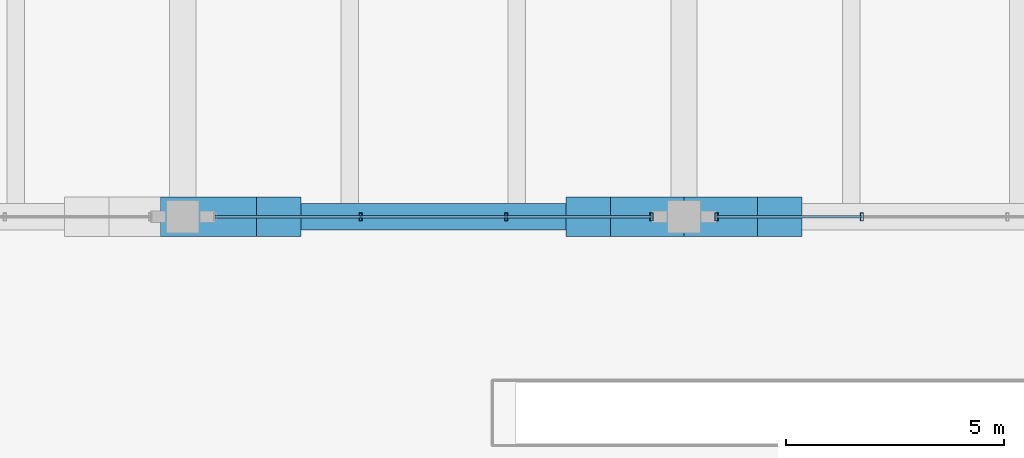
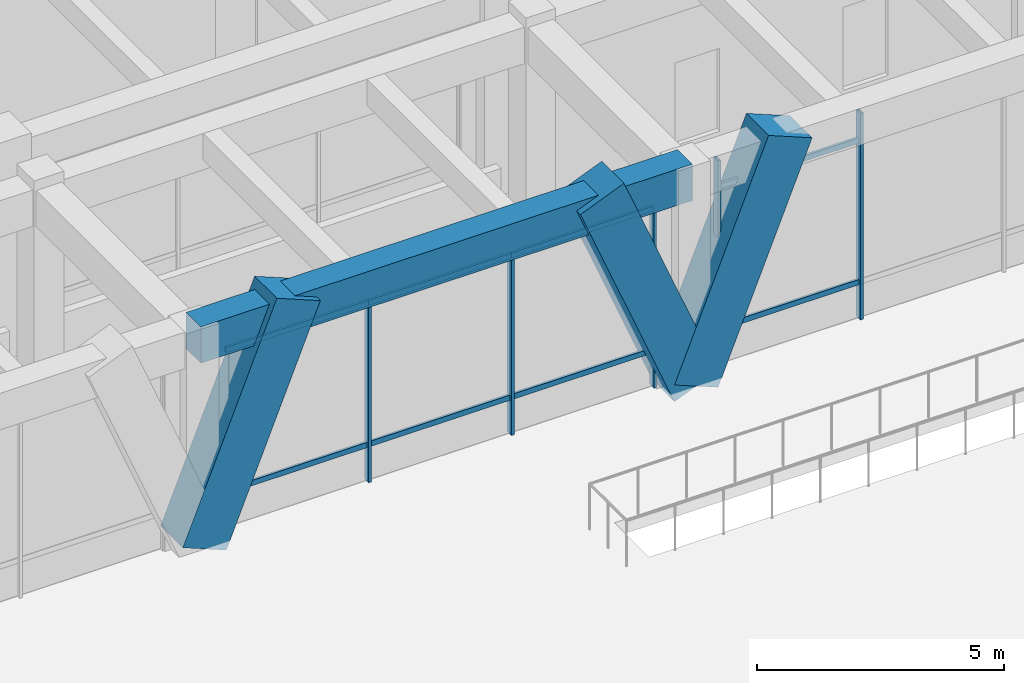
# One storey, part 99 of 148: 16 members, 1 beam, 2 elements without a shape of their own.
"""IFC4 building model written with IfcOpenShell, lengths in metres."""

from ifc_helpers import new_model, si_unit, direction, frame, origin, origin_2d, place, context, subcontext, project, spatial, rectangle, hollow_rectangle, extrude, material, material_profile, profile_set, type_object, element, aggregate, save


model = new_model("IFC4")

# Units and contexts
model_context = context("Model", 3, precision=1e-05, world=origin(), true_north=direction((0.0, 1.0)))
body_context = subcontext(model_context, "Body", "Model", "MODEL_VIEW")
ifc_project = project(units=[si_unit("LENGTHUNIT", "METRE"), si_unit("AREAUNIT", "SQUARE_METRE"), si_unit("VOLUMEUNIT", "CUBIC_METRE"), si_unit("PLANEANGLEUNIT", "RADIAN"), si_unit("MASSUNIT", "GRAM", prefix="KILO")], contexts=[model_context])

# Site, building, storey
site_placement = place(None, origin())
site = spatial("IfcSite", under=ifc_project, at=site_placement, CompositionType="ELEMENT")
building_placement = place(site_placement, origin())
building = spatial("IfcBuilding", under=site, at=building_placement, Name="Ologun Quay Terminus", CompositionType="ELEMENT")
storey_placement = place(building_placement, frame((0.0, 0.0, 8.39990234375)))
storey = spatial("IfcBuildingStorey", under=building, at=storey_placement, Name="L02", CompositionType="ELEMENT", Elevation=8.39990234375)

# Curtain wall, members
ifc_material_1 = material(Name="Aluminium 6063-T6", Category="aluminium")
curtain_wall_type = type_object("IfcCurtainWallType", Name="Train Shed North Clerestory Curtain Wall 10700x4850", PredefinedType="USERDEFINED", material=ifc_material_1)
curtain_wall_1_placement = place(storey_placement, origin())
curtain_wall_1 = element("IfcCurtainWall", 1, at=curtain_wall_1_placement, inside=storey, type_object=curtain_wall_type, Name="CW-09 Curtain Wall CW-L02-067", ObjectType="UNITISED CURTAIN WALL", PredefinedType="USERDEFINED")
ifc_material_2 = material(Name="Aluminium 6063-T6", Category="aluminium")
ifc_material_profile_1 = material_profile(ifc_material_2, hollow_rectangle(XDim=0.070068359375, YDim=0.179931640625, WallThickness=0.0048828125, at=origin_2d()), Name="ALU 180x70x5")
ifc_profile_set_1 = profile_set([ifc_material_profile_1], Name="Aluminium 6063-T6")
member_type_1 = type_object("IfcMemberType", Name="Concourse Clerestory Mullion 180x70", PredefinedType="MULLION", material=ifc_profile_set_1)
member_1_placement = place(storey_placement, frame((130.581787109375, 78.0, 0.0), z_axis=(0.0, 0.0, 1.0), x_axis=(1.0, 0.0, 0.0)))
member_1 = element("IfcMember", 2, at=member_1_placement, type_object=member_type_1, Name="CW-L02-067 Mullion 2", PredefinedType="MULLION", context=body_context, shape_type="SweptSolid", body=[
    extrude(hollow_rectangle(XDim=0.070068359375, YDim=0.179931640625, WallThickness=0.0048828125, at=origin_2d()), origin(), (0.0, 0.0, 1.0), 5.10009765625),
])
member_2_placement = place(storey_placement, frame((133.918212890625, 78.0, 0.0), z_axis=(0.0, 0.0, 1.0), x_axis=(1.0, 0.0, 0.0)))
member_2 = element("IfcMember", 3, at=member_2_placement, type_object=member_type_1, Name="CW-L02-067 Mullion 3", PredefinedType="MULLION", context=body_context, shape_type="SweptSolid", body=[
    extrude(hollow_rectangle(XDim=0.070068359375, YDim=0.179931640625, WallThickness=0.0048828125, at=origin_2d()), origin(), (0.0, 0.0, 1.0), 5.10009765625),
])
member_3_placement = place(storey_placement, frame((137.2548828125, 78.0, 0.0), z_axis=(0.0, 0.0, 1.0), x_axis=(1.0, 0.0, 0.0)))
member_3 = element("IfcMember", 4, at=member_3_placement, type_object=member_type_1, Name="CW-L02-067 Mullion 4", PredefinedType="MULLION", context=body_context, shape_type="SweptSolid", body=[
    extrude(hollow_rectangle(XDim=0.070068359375, YDim=0.179931640625, WallThickness=0.0048828125, at=origin_2d()), origin(), (0.0, 0.0, 1.0), 5.10009765625),
])

curtain_wall_2_placement = place(storey_placement, origin())
curtain_wall_2 = element("IfcCurtainWall", 5, at=curtain_wall_2_placement, inside=storey, type_object=curtain_wall_type, Name="CW-09 Curtain Wall CW-L02-069", ObjectType="UNITISED CURTAIN WALL", PredefinedType="USERDEFINED")
member_4_placement = place(storey_placement, frame((138.7451171875, 78.0, 0.0), z_axis=(0.0, 0.0, 1.0), x_axis=(1.0, 0.0, 0.0)))
member_4 = element("IfcMember", 6, at=member_4_placement, type_object=member_type_1, Name="CW-L02-069 Mullion 1", PredefinedType="MULLION", context=body_context, shape_type="SweptSolid", body=[
    extrude(hollow_rectangle(XDim=0.070068359375, YDim=0.179931640625, WallThickness=0.0048828125, at=origin_2d()), origin(), (0.0, 0.0, 1.0), 5.10009765625),
])
member_5_placement = place(storey_placement, frame((142.081787109375, 78.0, 0.0), z_axis=(0.0, 0.0, 1.0), x_axis=(1.0, 0.0, 0.0)))
member_5 = element("IfcMember", 7, at=member_5_placement, type_object=member_type_1, Name="CW-L02-069 Mullion 2", PredefinedType="MULLION", context=body_context, shape_type="SweptSolid", body=[
    extrude(hollow_rectangle(XDim=0.070068359375, YDim=0.179931640625, WallThickness=0.0048828125, at=origin_2d()), origin(), (0.0, 0.0, 1.0), 5.10009765625),
])

# Member
ifc_material_3 = material(Name="Aluminium 6063-T6", Category="aluminium")
ifc_material_profile_2 = material_profile(ifc_material_3, hollow_rectangle(XDim=0.06005859375, YDim=0.1298828125, WallThickness=0.00390625, at=origin_2d()), Name="ALU 130x60x4")
ifc_profile_set_2 = profile_set([ifc_material_profile_2], Name="Aluminium 6063-T6")
member_type_2 = type_object("IfcMemberType", Name="Concourse Clerestory Transom 130x60", PredefinedType="USERDEFINED", material=ifc_profile_set_2)
member_6_placement = place(storey_placement, frame((127.2451171875, 78.0, 0.900146484375), z_axis=(1.0, 0.0, 0.0), x_axis=(0.0, 1.0, 0.0)))
member_6 = element("IfcMember", 8, at=member_6_placement, type_object=member_type_2, Name="CW-L02-067 Transom B1-1", ObjectType="TRANSOM", PredefinedType="USERDEFINED", context=body_context, shape_type="SweptSolid", body=[
    extrude(hollow_rectangle(XDim=0.06005859375, YDim=0.1298828125, WallThickness=0.00390625, at=origin_2d()), origin(), (0.0, 0.0, 1.0), 3.336669921875),
])

member_7_placement = place(storey_placement, frame((127.2451171875, 78.0, 4.400146484375), z_axis=(1.0, 0.0, 0.0), x_axis=(0.0, 1.0, 0.0)))
member_7 = element("IfcMember", 9, at=member_7_placement, type_object=member_type_2, Name="CW-L02-067 Transom B1-2", ObjectType="TRANSOM", PredefinedType="USERDEFINED", context=body_context, shape_type="SweptSolid", body=[
    extrude(hollow_rectangle(XDim=0.06005859375, YDim=0.1298828125, WallThickness=0.00390625, at=origin_2d()), origin(), (0.0, 0.0, 1.0), 3.336669921875),
])

member_8_placement = place(storey_placement, frame((130.581787109375, 78.0, 0.900146484375), z_axis=(1.0, 0.0, 0.0), x_axis=(0.0, 1.0, 0.0)))
member_8 = element("IfcMember", 10, at=member_8_placement, type_object=member_type_2, Name="CW-L02-067 Transom B2-1", ObjectType="TRANSOM", PredefinedType="USERDEFINED", context=body_context, shape_type="SweptSolid", body=[
    extrude(hollow_rectangle(XDim=0.06005859375, YDim=0.1298828125, WallThickness=0.00390625, at=origin_2d()), origin(), (0.0, 0.0, 1.0), 3.33642578125),
])

member_9_placement = place(storey_placement, frame((130.581787109375, 78.0, 4.400146484375), z_axis=(1.0, 0.0, 0.0), x_axis=(0.0, 1.0, 0.0)))
member_9 = element("IfcMember", 11, at=member_9_placement, type_object=member_type_2, Name="CW-L02-067 Transom B2-2", ObjectType="TRANSOM", PredefinedType="USERDEFINED", context=body_context, shape_type="SweptSolid", body=[
    extrude(hollow_rectangle(XDim=0.06005859375, YDim=0.1298828125, WallThickness=0.00390625, at=origin_2d()), origin(), (0.0, 0.0, 1.0), 3.33642578125),
])

member_10_placement = place(storey_placement, frame((133.918212890625, 78.0, 0.900146484375), z_axis=(1.0, 0.0, 0.0), x_axis=(0.0, 1.0, 0.0)))
member_10 = element("IfcMember", 12, at=member_10_placement, type_object=member_type_2, Name="CW-L02-067 Transom B3-1", ObjectType="TRANSOM", PredefinedType="USERDEFINED", context=body_context, shape_type="SweptSolid", body=[
    extrude(hollow_rectangle(XDim=0.06005859375, YDim=0.1298828125, WallThickness=0.00390625, at=origin_2d()), origin(), (0.0, 0.0, 1.0), 3.336669921875),
])

member_11_placement = place(storey_placement, frame((133.918212890625, 78.0, 4.400146484375), z_axis=(1.0, 0.0, 0.0), x_axis=(0.0, 1.0, 0.0)))
member_11 = element("IfcMember", 13, at=member_11_placement, type_object=member_type_2, Name="CW-L02-067 Transom B3-2", ObjectType="TRANSOM", PredefinedType="USERDEFINED", context=body_context, shape_type="SweptSolid", body=[
    extrude(hollow_rectangle(XDim=0.06005859375, YDim=0.1298828125, WallThickness=0.00390625, at=origin_2d()), origin(), (0.0, 0.0, 1.0), 3.336669921875),
])

aggregate(curtain_wall_1, [member_1, member_2, member_3, member_6, member_7, member_8, member_9, member_10, member_11])

member_12_placement = place(storey_placement, frame((138.7451171875, 78.0, 0.900146484375), z_axis=(1.0, 0.0, 0.0), x_axis=(0.0, 1.0, 0.0)))
member_12 = element("IfcMember", 14, at=member_12_placement, type_object=member_type_2, Name="CW-L02-069 Transom B1-1", ObjectType="TRANSOM", PredefinedType="USERDEFINED", context=body_context, shape_type="SweptSolid", body=[
    extrude(hollow_rectangle(XDim=0.06005859375, YDim=0.1298828125, WallThickness=0.00390625, at=origin_2d()), origin(), (0.0, 0.0, 1.0), 3.336669921875),
])

member_13_placement = place(storey_placement, frame((138.7451171875, 78.0, 4.400146484375), z_axis=(1.0, 0.0, 0.0), x_axis=(0.0, 1.0, 0.0)))
member_13 = element("IfcMember", 15, at=member_13_placement, type_object=member_type_2, Name="CW-L02-069 Transom B1-2", ObjectType="TRANSOM", PredefinedType="USERDEFINED", context=body_context, shape_type="SweptSolid", body=[
    extrude(hollow_rectangle(XDim=0.06005859375, YDim=0.1298828125, WallThickness=0.00390625, at=origin_2d()), origin(), (0.0, 0.0, 1.0), 3.336669921875),
])

aggregate(curtain_wall_2, [member_4, member_5, member_12, member_13])

# Members
ifc_material_4 = material(Name="Concrete C45/55", Category="concrete")
ifc_material_profile_3 = material_profile(ifc_material_4, rectangle(XDim=0.89990234375, YDim=1.10009765625, at=origin_2d()), Name="RC 900x1100")
ifc_profile_set_3 = profile_set([ifc_material_profile_3], Name="Concrete C45/55")
member_type_3 = type_object("IfcMemberType", Name="Sculpted Concrete Arch V-Buttress Strut 900x1100", PredefinedType="STRUT", material=ifc_profile_set_3)
for number, where, z_axis, x_axis, name in (
    (16, (126.5, 78.0, 0.0), (0.377280927807, 0.0, 0.926098861631), (0.0, 1.0, 0.0), "VS1 Arch V-Buttress East Limb 12/F"),
    (17, (138.0, 78.0, 0.0), (-0.377280927807, 0.0, 0.926098861631), (0.0, -1.0, 0.0), "VS1 Arch V-Buttress West Limb 13/F"),
    (18, (138.0, 78.0, 0.0), (0.377280927807, 0.0, 0.926098861631), (0.0, 1.0, 0.0), "VS1 Arch V-Buttress East Limb 13/F"),
):
    element("IfcMember", number, at=place(storey_placement, frame(where, z_axis=z_axis, x_axis=x_axis)), inside=storey, type_object=member_type_3, Name=name, PredefinedType="STRUT", context=body_context, shape_type="SweptSolid", body=[
        extrude(rectangle(XDim=0.89990234375, YDim=1.10009765625, at=origin_2d()), origin(), (0.0, 0.0, 1.0), 5.8310546875),
    ])

# Beam
ifc_material_5 = material(Name="Concrete C40/50", Category="concrete")
ifc_material_profile_4 = material_profile(ifc_material_5, rectangle(XDim=0.60009765625, YDim=0.89990234375, at=origin_2d()), Name="RC 600x900")
ifc_profile_set_4 = profile_set([ifc_material_profile_4], Name="Concrete C40/50")
beam_type = type_object("IfcBeamType", Name="Station Frame Girder 600x900", PredefinedType="BEAM", material=ifc_profile_set_4)
beam_placement = place(storey_placement, frame((126.5, 78.0, 4.9501953125), z_axis=(1.0, 0.0, 0.0), x_axis=(0.0, 1.0, 0.0)))
element("IfcBeam", 19, at=beam_placement, inside=storey, type_object=beam_type, Name="B3 Beam 12/F L02", PredefinedType="BEAM", context=body_context, shape_type="SweptSolid", body=[
    extrude(rectangle(XDim=0.60009765625, YDim=0.89990234375, at=origin_2d()), origin(), (0.0, 0.0, 1.0), 11.5),
])

save(model, "model.ifc")
